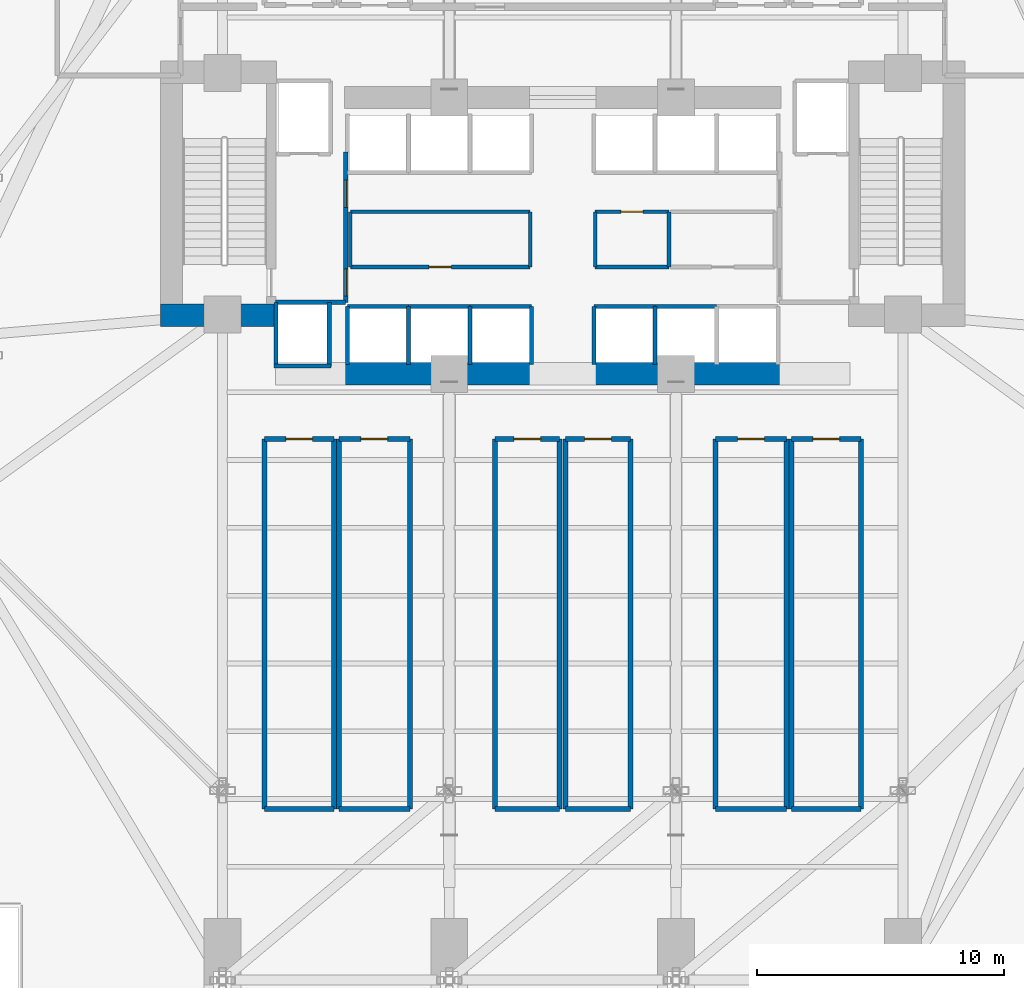
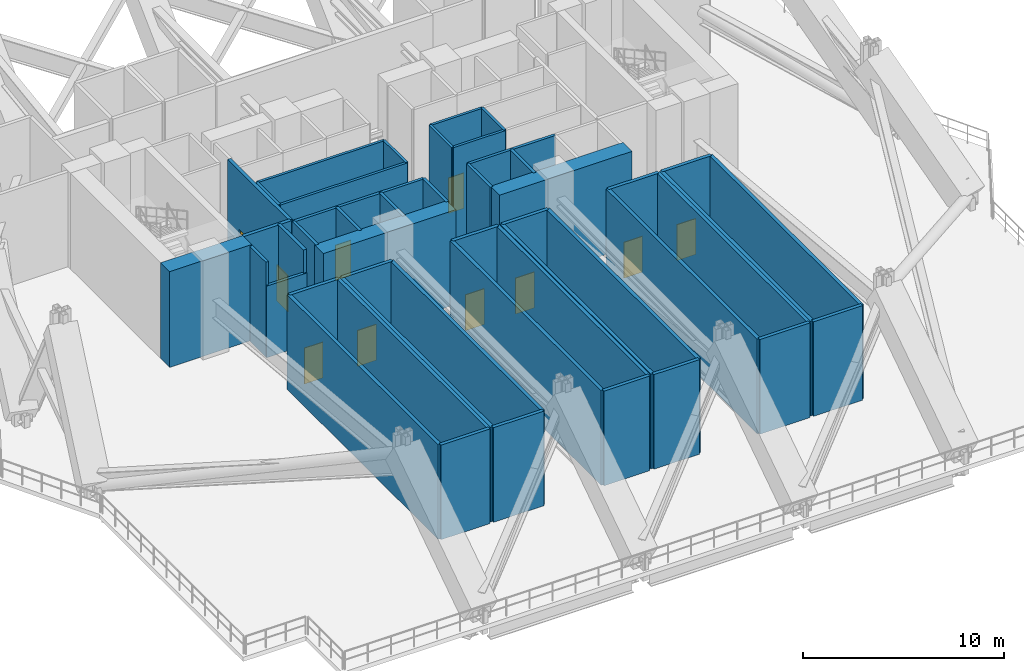
# One storey, part 13 of 21: 51 walls, 10 doors, 10 openings.
"""IFC4 building model written with IfcOpenShell, lengths in metres."""

from ifc_helpers import new_model, si_unit, direction, frame, frame_2d, origin, place, context, subcontext, project, spatial, rectangle, extrude, material, layer, layer_set, type_object, element, fill, save


model = new_model("IFC4")

# Units and contexts
model_context = context("Model", 3, precision=1e-05, world=origin(), true_north=direction((0.0, 1.0)))
body_context = subcontext(model_context, "Body", "Model", "MODEL_VIEW")
ifc_project = project(units=[si_unit("LENGTHUNIT", "METRE"), si_unit("AREAUNIT", "SQUARE_METRE"), si_unit("VOLUMEUNIT", "CUBIC_METRE"), si_unit("PLANEANGLEUNIT", "RADIAN"), si_unit("MASSUNIT", "GRAM", prefix="KILO")], contexts=[model_context])

# Site, building, storey
site_placement = place(None, origin())
site = spatial("IfcSite", under=ifc_project, at=site_placement, CompositionType="ELEMENT")
building_placement = place(site_placement, origin())
building = spatial("IfcBuilding", under=site, at=building_placement, Name="Zuhayl Quay Hotel", CompositionType="ELEMENT")
storey_placement = place(building_placement, frame((0.0, 0.0, 89.64990234375)))
storey = spatial("IfcBuildingStorey", under=building, at=storey_placement, Name="L22", CompositionType="ELEMENT", Elevation=89.64990234375)

# Walls
ifc_material_1 = material(Name="Concrete C70/85", Category="concrete")
ifc_layer_1 = layer(ifc_material_1, 0.89990234375, Name="Concrete C70/85", Category="concrete")
ifc_layer_set_1 = layer_set([ifc_layer_1], Name="Concrete C70/85")
wall_type_1 = type_object("IfcWallType", Name="WL_CORE_900", PredefinedType="SHEAR", material=ifc_layer_set_1)
wall_1_placement = place(storey_placement, frame((-16.31005859375, 4.52001953125, 0.0), z_axis=(0.0, 0.0, 1.0), x_axis=(1.0, 0.0, 0.0)))
element("IfcWall", 1, at=wall_1_placement, inside=storey, type_object=wall_type_1, Name="L22 Core Shear Wall CW_SW", PredefinedType="SHEAR", context=body_context, shape_type="SweptSolid", body=[
    extrude(rectangle(XDim=4.7099609375, YDim=0.89990234375, at=frame_2d((2.35498046875, 0.0))), origin(), (0.0, 0.0, 1.0), 5.81005859375),
])
for number, where, z_axis, x_axis, name in (
    (2, (-8.85009765625, 2.14990234375, 0.0), (0.0, 0.0, 1.0), (1.0, 0.0, 0.0), "L22 Core Shear Wall CW_SC_W"),
    (3, (1.25, 2.14990234375, 0.0), (0.0, 0.0, 1.0), (1.0, 0.0, 0.0), "L22 Core Shear Wall CW_SC_E"),
):
    element("IfcWall", number, at=place(storey_placement, frame(where, z_axis=z_axis, x_axis=x_axis)), inside=storey, type_object=wall_type_1, Name=name, PredefinedType="SHEAR", context=body_context, shape_type="SweptSolid", body=[
        extrude(rectangle(XDim=7.60009765625, YDim=0.89990234375, at=frame_2d((3.800048828125, 0.0))), origin(), (0.0, 0.0, 1.0), 5.739990234375),
    ])

# Wall, opening, door
ifc_material_2 = material(Name="Acoustic Gypsum Partition STC-58")
ifc_layer_2 = layer(ifc_material_2, 0.14990234375, Name="Acoustic Gypsum Partition STC-58")
ifc_layer_set_2 = layer_set([ifc_layer_2], Name="Acoustic Gypsum Partition STC-58")
wall_type_2 = type_object("IfcWallType", Name="WL_PART_150", PredefinedType="PARTITIONING", material=ifc_layer_set_2)
wall_2_placement = place(storey_placement, frame((-8.610107421875, 6.47998046875, 0.0), z_axis=(0.0, 0.0, 1.0), x_axis=(1.0, 0.0, 0.0)))
wall_2 = element("IfcWall", 4, at=wall_2_placement, inside=storey, type_object=wall_type_2, Name="L22 Partition IW_L22_CORE_EL_S", PredefinedType="PARTITIONING", context=body_context, shape_type="SweptSolid", body=[
    extrude(rectangle(XDim=7.2900390625, YDim=0.14990234375, at=frame_2d((3.64501953125, 0.0))), origin(), (0.0, 0.0, 1.0), 5.739990234375),
])
opening_1_placement = place(wall_2_placement, frame((3.195068359375, 0.0, 0.0)))
opening_1 = element("IfcOpeningElement", 5, at=opening_1_placement, cuts=wall_2, Name="Opening D06", PredefinedType="OPENING", context=body_context, shape_type="SweptSolid", body=[
    extrude(rectangle(XDim=0.89990234375, YDim=2.14990234375, at=frame_2d((0.449951171875, 1.074951171875))), frame((0.0, 0.0849609375, 0.0), z_axis=(0.0, -1.0, 0.0), x_axis=(1.0, 0.0, 0.0)), (0.0, 0.0, 1.0), 0.169921875),
])
ifc_material_3 = material(Name="Steel ASTM A992 Grade 50", Category="steel")
door_type_1 = type_object("IfcDoorType", Name="DR_INT_900", OperationType="NOTDEFINED", PredefinedType="DOOR", material=ifc_material_3)
door_1_placement = place(opening_1_placement, origin())
door_1 = element("IfcDoor", 6, at=door_1_placement, inside=storey, type_object=door_type_1, Name="L22 Floor Electrical Plant Room Door", OperationType="SINGLE_SWING_RIGHT", OverallHeight=2.14990234375, OverallWidth=0.89990234375, PredefinedType="DOOR", context=body_context, shape_type="SweptSolid", body=[
    extrude(rectangle(XDim=0.89990234375, YDim=2.14990234375, at=frame_2d((0.449951171875, 1.074951171875))), frame((0.0, 0.02490234375, 0.0), z_axis=(0.0, -1.0, 0.0), x_axis=(1.0, 0.0, 0.0)), (0.0, 0.0, 1.0), 0.050048828125),
])
fill(opening_1, door_1)

wall_3_placement = place(storey_placement, frame((1.320068359375, 8.719970703125, 0.0), z_axis=(0.0, 0.0, 1.0), x_axis=(1.0, 0.0, 0.0)))
wall_3 = element("IfcWall", 7, at=wall_3_placement, inside=storey, type_object=wall_type_2, Name="L22 Partition IW_L22_CORE_IT_N", PredefinedType="PARTITIONING", context=body_context, shape_type="SweptSolid", body=[
    extrude(rectangle(XDim=2.989990234375, YDim=0.14990234375, at=frame_2d((1.4951171875, 0.0))), origin(), (0.0, 0.0, 1.0), 5.739990234375),
])
opening_2_placement = place(wall_3_placement, frame((1.044921875, 0.0, 0.0)))
opening_2 = element("IfcOpeningElement", 8, at=opening_2_placement, cuts=wall_3, Name="Opening D06", PredefinedType="OPENING", context=body_context, shape_type="SweptSolid", body=[
    extrude(rectangle(XDim=0.89990234375, YDim=2.14990234375, at=frame_2d((0.449951171875, 1.074951171875))), frame((0.0, 0.0849609375, 0.0), z_axis=(0.0, -1.0, 0.0), x_axis=(1.0, 0.0, 0.0)), (0.0, 0.0, 1.0), 0.169921875),
])
door_2_placement = place(opening_2_placement, origin())
door_2 = element("IfcDoor", 9, at=door_2_placement, inside=storey, type_object=door_type_1, Name="L22 Telecom Closet Door", OperationType="SINGLE_SWING_LEFT", OverallHeight=2.14990234375, OverallWidth=0.89990234375, PredefinedType="DOOR", context=body_context, shape_type="SweptSolid", body=[
    extrude(rectangle(XDim=0.89990234375, YDim=2.14990234375, at=frame_2d((0.449951171875, 1.074951171875))), frame((0.0, 0.02490234375, 0.0), z_axis=(0.0, -1.0, 0.0), x_axis=(1.0, 0.0, 0.0)), (0.0, 0.0, 1.0), 0.050048828125),
])
fill(opening_2, door_2)

# Walls
wall_4_placement = place(storey_placement, frame((-8.610107421875, 8.719970703125, 0.0), z_axis=(0.0, 0.0, 1.0), x_axis=(1.0, 0.0, 0.0)))
element("IfcWall", 10, at=wall_4_placement, inside=storey, type_object=wall_type_2, Name="L22 Partition IW_L22_CORE_EL_N", PredefinedType="PARTITIONING", context=body_context, shape_type="SweptSolid", body=[
    extrude(rectangle(XDim=7.2900390625, YDim=0.14990234375, at=frame_2d((3.64501953125, 0.0))), origin(), (0.0, 0.0, 1.0), 5.739990234375),
])
for number, where, z_axis, x_axis, name in (
    (11, (-8.610107421875, 6.47998046875, 0.0), (0.0, 0.0, 1.0), (0.0, 1.0, 0.0), "L22 Partition IW_L22_CORE_EL_W"),
    (12, (-1.320068359375, 6.47998046875, 0.0), (0.0, 0.0, 1.0), (0.0, 1.0, 0.0), "L22 Partition IW_L22_CORE_EL_E"),
):
    element("IfcWall", number, at=place(storey_placement, frame(where, z_axis=z_axis, x_axis=x_axis)), inside=storey, type_object=wall_type_2, Name=name, PredefinedType="PARTITIONING", context=body_context, shape_type="SweptSolid", body=[
        extrude(rectangle(XDim=2.239990234375, YDim=0.14990234375, at=frame_2d((1.1201171875, 0.0))), origin(), (0.0, 0.0, 1.0), 5.739990234375),
    ])
wall_5_placement = place(storey_placement, frame((1.320068359375, 6.47998046875, 0.0), z_axis=(0.0, 0.0, 1.0), x_axis=(1.0, 0.0, 0.0)))
element("IfcWall", 13, at=wall_5_placement, inside=storey, type_object=wall_type_2, Name="L22 Partition IW_L22_CORE_IT_S", PredefinedType="PARTITIONING", context=body_context, shape_type="SweptSolid", body=[
    extrude(rectangle(XDim=2.989990234375, YDim=0.14990234375, at=frame_2d((1.4951171875, 0.0))), origin(), (0.0, 0.0, 1.0), 5.739990234375),
])
for number, where, z_axis, x_axis, name in (
    (14, (1.320068359375, 6.47998046875, 0.0), (0.0, 0.0, 1.0), (0.0, 1.0, 0.0), "L22 Partition IW_L22_CORE_IT_W"),
    (15, (4.31005859375, 6.47998046875, 0.0), (0.0, 0.0, 1.0), (0.0, 1.0, 0.0), "L22 Partition IW_L22_CORE_IT_E"),
):
    element("IfcWall", number, at=place(storey_placement, frame(where, z_axis=z_axis, x_axis=x_axis)), inside=storey, type_object=wall_type_2, Name=name, PredefinedType="PARTITIONING", context=body_context, shape_type="SweptSolid", body=[
        extrude(rectangle(XDim=2.239990234375, YDim=0.14990234375, at=frame_2d((1.1201171875, 0.0))), origin(), (0.0, 0.0, 1.0), 5.739990234375),
    ])
ifc_material_4 = material(Name="Gypsum Fireboard Assembly EI-90")
ifc_layer_3 = layer(ifc_material_4, 0.1650390625, Name="Gypsum Fireboard Assembly EI-90")
ifc_layer_set_3 = layer_set([ifc_layer_3], Name="Gypsum Fireboard Assembly EI-90")
wall_type_3 = type_object("IfcWallType", Name="WL_PART_SHAFT_160", PredefinedType="PARTITIONING", material=ifc_layer_set_3)
wall_6_placement = place(storey_placement, frame((-8.72998046875, 4.8798828125, 0.0), z_axis=(0.0, 0.0, 1.0), x_axis=(1.0, 0.0, 0.0)))
element("IfcWall", 16, at=wall_6_placement, inside=storey, type_object=wall_type_3, Name="L22 Partition IW_L22_SH_LP1_F", PredefinedType="PARTITIONING", context=body_context, shape_type="SweptSolid", body=[
    extrude(rectangle(XDim=2.47998046875, YDim=0.1650390625, at=frame_2d((1.239990234375, 0.0))), origin(), (0.0, 0.0, 1.0), 5.739990234375),
])
for number, where, z_axis, x_axis, name in (
    (17, (-8.72998046875, 2.52001953125, 0.0), (0.0, 0.0, 1.0), (0.0, 1.0, 0.0), "L22 Partition IW_L22_SH_LP1_W"),
    (18, (-6.25, 2.52001953125, 0.0), (0.0, 0.0, 1.0), (0.0, 1.0, 0.0), "L22 Partition IW_L22_SH_LP1_E"),
):
    element("IfcWall", number, at=place(storey_placement, frame(where, z_axis=z_axis, x_axis=x_axis)), inside=storey, type_object=wall_type_3, Name=name, PredefinedType="PARTITIONING", context=body_context, shape_type="SweptSolid", body=[
        extrude(rectangle(XDim=2.35986328125, YDim=0.1650390625, at=frame_2d((1.179931640625, 0.0))), origin(), (0.0, 0.0, 1.0), 5.739990234375),
    ])
wall_7_placement = place(storey_placement, frame((-6.25, 4.8798828125, 0.0), z_axis=(0.0, 0.0, 1.0), x_axis=(1.0, 0.0, 0.0)))
element("IfcWall", 19, at=wall_7_placement, inside=storey, type_object=wall_type_3, Name="L22 Partition IW_L22_SH_LP2_F", PredefinedType="PARTITIONING", context=body_context, shape_type="SweptSolid", body=[
    extrude(rectangle(XDim=2.5, YDim=0.1650390625, at=frame_2d((1.25, 0.0))), origin(), (0.0, 0.0, 1.0), 5.739990234375),
])
wall_8_placement = place(storey_placement, frame((-3.75, 2.52001953125, 0.0), z_axis=(0.0, 0.0, 1.0), x_axis=(0.0, 1.0, 0.0)))
element("IfcWall", 20, at=wall_8_placement, inside=storey, type_object=wall_type_3, Name="L22 Partition IW_L22_SH_LP2_E", PredefinedType="PARTITIONING", context=body_context, shape_type="SweptSolid", body=[
    extrude(rectangle(XDim=2.35986328125, YDim=0.1650390625, at=frame_2d((1.179931640625, 0.0))), origin(), (0.0, 0.0, 1.0), 5.739990234375),
])
wall_9_placement = place(storey_placement, frame((-3.75, 4.8798828125, 0.0), z_axis=(0.0, 0.0, 1.0), x_axis=(1.0, 0.0, 0.0)))
element("IfcWall", 21, at=wall_9_placement, inside=storey, type_object=wall_type_3, Name="L22 Partition IW_L22_SH_MP1_F", PredefinedType="PARTITIONING", context=body_context, shape_type="SweptSolid", body=[
    extrude(rectangle(XDim=2.47998046875, YDim=0.1650390625, at=frame_2d((1.239990234375, 0.0))), origin(), (0.0, 0.0, 1.0), 5.739990234375),
])
wall_10_placement = place(storey_placement, frame((-1.27001953125, 2.52001953125, 0.0), z_axis=(0.0, 0.0, 1.0), x_axis=(0.0, 1.0, 0.0)))
element("IfcWall", 22, at=wall_10_placement, inside=storey, type_object=wall_type_3, Name="L22 Partition IW_L22_SH_MP1_E", PredefinedType="PARTITIONING", context=body_context, shape_type="SweptSolid", body=[
    extrude(rectangle(XDim=2.35986328125, YDim=0.1650390625, at=frame_2d((1.179931640625, 0.0))), origin(), (0.0, 0.0, 1.0), 5.739990234375),
])
wall_11_placement = place(storey_placement, frame((1.27001953125, 4.8798828125, 0.0), z_axis=(0.0, 0.0, 1.0), x_axis=(1.0, 0.0, 0.0)))
element("IfcWall", 23, at=wall_11_placement, inside=storey, type_object=wall_type_3, Name="L22 Partition IW_L22_SH_MP2_F", PredefinedType="PARTITIONING", context=body_context, shape_type="SweptSolid", body=[
    extrude(rectangle(XDim=2.47998046875, YDim=0.1650390625, at=frame_2d((1.239990234375, 0.0))), origin(), (0.0, 0.0, 1.0), 5.739990234375),
])
for number, where, z_axis, x_axis, name in (
    (24, (1.27001953125, 2.52001953125, 0.0), (0.0, 0.0, 1.0), (0.0, 1.0, 0.0), "L22 Partition IW_L22_SH_MP2_W"),
    (25, (3.75, 2.52001953125, 0.0), (0.0, 0.0, 1.0), (0.0, 1.0, 0.0), "L22 Partition IW_L22_SH_MP2_E"),
):
    element("IfcWall", number, at=place(storey_placement, frame(where, z_axis=z_axis, x_axis=x_axis)), inside=storey, type_object=wall_type_3, Name=name, PredefinedType="PARTITIONING", context=body_context, shape_type="SweptSolid", body=[
        extrude(rectangle(XDim=2.35986328125, YDim=0.1650390625, at=frame_2d((1.179931640625, 0.0))), origin(), (0.0, 0.0, 1.0), 5.739990234375),
    ])
wall_12_placement = place(storey_placement, frame((3.75, 4.8798828125, 0.0), z_axis=(0.0, 0.0, 1.0), x_axis=(1.0, 0.0, 0.0)))
element("IfcWall", 26, at=wall_12_placement, inside=storey, type_object=wall_type_3, Name="L22 Partition IW_L22_SH_HP1_F", PredefinedType="PARTITIONING", context=body_context, shape_type="SweptSolid", body=[
    extrude(rectangle(XDim=2.5, YDim=0.1650390625, at=frame_2d((1.25, 0.0))), origin(), (0.0, 0.0, 1.0), 5.739990234375),
])
wall_13_placement = place(storey_placement, frame((-11.6298828125, 2.469970703125, 0.0), z_axis=(0.0, 0.0, 1.0), x_axis=(0.0, 1.0, 0.0)))
element("IfcWall", 27, at=wall_13_placement, inside=storey, type_object=wall_type_3, Name="L22 Partition IW_L22_RISER_W", PredefinedType="PARTITIONING", context=body_context, shape_type="SweptSolid", body=[
    extrude(rectangle(XDim=2.580078125, YDim=0.1650390625, at=frame_2d((1.2900390625, 0.0))), origin(), (0.0, 0.0, 1.0), 5.739990234375),
])
wall_14_placement = place(storey_placement, frame((-11.7099609375, 2.469970703125, 0.0), z_axis=(0.0, 0.0, 1.0), x_axis=(1.0, 0.0, 0.0)))
element("IfcWall", 28, at=wall_14_placement, inside=storey, type_object=wall_type_3, Name="L22 Partition IW_L22_RISER_S", PredefinedType="PARTITIONING", context=body_context, shape_type="SweptSolid", body=[
    extrude(rectangle(XDim=2.31005859375, YDim=0.1650390625, at=frame_2d((1.155029296875, 0.0))), origin(), (0.0, 0.0, 1.0), 4.340087890625),
])
ifc_layer_4 = layer(ifc_material_4, 0.179931640625, Name="Gypsum Fireboard Assembly EI-90")
ifc_layer_set_4 = layer_set([ifc_layer_4], Name="Gypsum Fireboard Assembly EI-90")
wall_type_4 = type_object("IfcWallType", Name="WL_PART_SHAFT_180", PredefinedType="PARTITIONING", material=ifc_layer_set_4)
wall_15_placement = place(storey_placement, frame((-9.469970703125, 2.449951171875, 0.0), z_axis=(0.0, 0.0, 1.0), x_axis=(0.0, 1.0, 0.0)))
element("IfcWall", 29, at=wall_15_placement, inside=storey, type_object=wall_type_4, Name="L22 Partition IW_L22_RISER_E", PredefinedType="PARTITIONING", context=body_context, shape_type="SweptSolid", body=[
    extrude(rectangle(XDim=2.60009765625, YDim=0.179931640625, at=frame_2d((1.300048828125, 0.0))), origin(), (0.0, 0.0, 1.0), 5.739990234375),
])

# Wall, openings, doors
ifc_material_5 = material(Name="Gypsum Fireboard Assembly EI-120")
ifc_layer_5 = layer(ifc_material_5, 0.199951171875, Name="Gypsum Fireboard Assembly EI-120")
ifc_layer_set_5 = layer_set([ifc_layer_5], Name="Gypsum Fireboard Assembly EI-120")
wall_type_5 = type_object("IfcWallType", Name="WL_PART_SHAFT_200", PredefinedType="PARTITIONING", material=ifc_layer_set_5)
wall_16_placement = place(storey_placement, frame((-8.800048828125, 5.050048828125, 0.0), z_axis=(0.0, 0.0, 1.0), x_axis=(0.0, 1.0, 0.0)))
wall_16 = element("IfcWall", 30, at=wall_16_placement, inside=storey, type_object=wall_type_5, Name="L22 Partition IW_L22_FSAE_W_E", PredefinedType="PARTITIONING", context=body_context, shape_type="SweptSolid", body=[
    extrude(rectangle(XDim=6.099853515625, YDim=0.199951171875, at=frame_2d((3.0498046875, 0.0))), origin(), (0.0, 0.0, 1.0), 5.739990234375),
])
opening_3_placement = place(wall_16_placement, frame((0.25, 0.0, 0.0)))
opening_3 = element("IfcOpeningElement", 31, at=opening_3_placement, cuts=wall_16, Name="Opening D02", PredefinedType="OPENING", context=body_context, shape_type="SweptSolid", body=[
    extrude(rectangle(XDim=1.10009765625, YDim=2.199951171875, at=frame_2d((0.550048828125, 1.10009765625))), frame((0.0, 0.10986328125, 0.0), z_axis=(0.0, -1.0, 0.0), x_axis=(1.0, 0.0, 0.0)), (0.0, 0.0, 1.0), 0.219970703125),
])
opening_4_placement = place(wall_16_placement, frame((3.85009765625, 0.0, 0.0)))
opening_4 = element("IfcOpeningElement", 32, at=opening_4_placement, cuts=wall_16, Name="Opening D02", PredefinedType="OPENING", context=body_context, shape_type="SweptSolid", body=[
    extrude(rectangle(XDim=1.10009765625, YDim=2.199951171875, at=frame_2d((0.550048828125, 1.10009765625))), frame((0.0, 0.10986328125, 0.0), z_axis=(0.0, -1.0, 0.0), x_axis=(1.0, 0.0, 0.0)), (0.0, 0.0, 1.0), 0.219970703125),
])
door_type_2 = type_object("IfcDoorType", Name="DR_FIRE_90_1100", OperationType="NOTDEFINED", PredefinedType="DOOR", material=ifc_material_3)
door_3_placement = place(opening_3_placement, origin())
door_3 = element("IfcDoor", 33, at=door_3_placement, inside=storey, type_object=door_type_2, Name="L22 FSAE Lobby West South Entry Door", OperationType="SINGLE_SWING_RIGHT", OverallHeight=2.199951171875, OverallWidth=1.10009765625, PredefinedType="DOOR", context=body_context, shape_type="SweptSolid", body=[
    extrude(rectangle(XDim=1.10009765625, YDim=2.199951171875, at=frame_2d((0.550048828125, 1.10009765625))), frame((0.0, 0.02490234375, 0.0), z_axis=(0.0, -1.0, 0.0), x_axis=(1.0, 0.0, 0.0)), (0.0, 0.0, 1.0), 0.050048828125),
])
fill(opening_3, door_3)
door_4_placement = place(opening_4_placement, origin())
door_4 = element("IfcDoor", 34, at=door_4_placement, inside=storey, type_object=door_type_2, Name="L22 FSAE Lobby West North Entry Door", OperationType="SINGLE_SWING_LEFT", OverallHeight=2.199951171875, OverallWidth=1.10009765625, PredefinedType="DOOR", context=body_context, shape_type="SweptSolid", body=[
    extrude(rectangle(XDim=1.10009765625, YDim=2.199951171875, at=frame_2d((0.550048828125, 1.10009765625))), frame((0.0, 0.02490234375, 0.0), z_axis=(0.0, -1.0, 0.0), x_axis=(1.0, 0.0, 0.0)), (0.0, 0.0, 1.0), 0.050048828125),
])
fill(opening_4, door_4)

# Wall, opening, door
wall_17_placement = place(storey_placement, frame((-12.10009765625, -0.5, 0.0), z_axis=(0.0, 0.0, 1.0), x_axis=(1.0, 0.0, 0.0)))
wall_17 = element("IfcWall", 35, at=wall_17_placement, inside=storey, type_object=wall_type_5, Name="L22 Partition IW_L22_MEP_ELEC_N", PredefinedType="PARTITIONING", context=body_context, shape_type="SweptSolid", body=[
    extrude(rectangle(XDim=2.820068359375, YDim=0.199951171875, at=frame_2d((1.41015625, 0.0))), origin(), (0.0, 0.0, 1.0), 5.739990234375),
])
opening_5_placement = place(wall_17_placement, frame((0.8701171875, 0.0, 0.0)))
opening_5 = element("IfcOpeningElement", 36, at=opening_5_placement, cuts=wall_17, Name="Opening D05A", PredefinedType="OPENING", context=body_context, shape_type="SweptSolid", body=[
    extrude(rectangle(XDim=1.080078125, YDim=2.179931640625, at=frame_2d((0.5400390625, 1.08984375))), frame((0.0, 0.10986328125, 0.0), z_axis=(0.0, -1.0, 0.0), x_axis=(1.0, 0.0, 0.0)), (0.0, 0.0, 1.0), 0.219970703125),
])
ifc_material_6 = material(Name="Solid Walnut Acoustic Fire Door")
door_type_3 = type_object("IfcDoorType", Name="DR_INT_1100", OperationType="NOTDEFINED", PredefinedType="DOOR", material=ifc_material_6)
door_5_placement = place(opening_5_placement, origin())
door_5 = element("IfcDoor", 37, at=door_5_placement, inside=storey, type_object=door_type_3, Name="L22 Switchgear Plant Room Door", OperationType="SINGLE_SWING_LEFT", OverallHeight=2.179931640625, OverallWidth=1.080078125, PredefinedType="DOOR", context=body_context, shape_type="SweptSolid", body=[
    extrude(rectangle(XDim=1.080078125, YDim=2.179931640625, at=frame_2d((0.5400390625, 1.08984375))), frame((0.0, 0.02490234375, 0.0), z_axis=(0.0, -1.0, 0.0), x_axis=(1.0, 0.0, 0.0)), (0.0, 0.0, 1.0), 0.050048828125),
])
fill(opening_5, door_5)

wall_18_placement = place(storey_placement, frame((-9.080078125, -0.5, 0.0), z_axis=(0.0, 0.0, 1.0), x_axis=(1.0, 0.0, 0.0)))
wall_18 = element("IfcWall", 38, at=wall_18_placement, inside=storey, type_object=wall_type_5, Name="L22 Partition IW_L22_MEP_SMK_N", PredefinedType="PARTITIONING", context=body_context, shape_type="SweptSolid", body=[
    extrude(rectangle(XDim=2.880126953125, YDim=0.199951171875, at=frame_2d((1.43994140625, 0.0))), origin(), (0.0, 0.0, 1.0), 5.739990234375),
])
opening_6_placement = place(wall_18_placement, frame((0.89990234375, 0.0, 0.0)))
opening_6 = element("IfcOpeningElement", 39, at=opening_6_placement, cuts=wall_18, Name="Opening D05A", PredefinedType="OPENING", context=body_context, shape_type="SweptSolid", body=[
    extrude(rectangle(XDim=1.080078125, YDim=2.179931640625, at=frame_2d((0.5400390625, 1.08984375))), frame((0.0, 0.10986328125, 0.0), z_axis=(0.0, -1.0, 0.0), x_axis=(1.0, 0.0, 0.0)), (0.0, 0.0, 1.0), 0.219970703125),
])
door_6_placement = place(opening_6_placement, origin())
door_6 = element("IfcDoor", 40, at=door_6_placement, inside=storey, type_object=door_type_3, Name="L22 Smoke-Extract Fan Plant Room Door", OperationType="SINGLE_SWING_RIGHT", OverallHeight=2.179931640625, OverallWidth=1.080078125, PredefinedType="DOOR", context=body_context, shape_type="SweptSolid", body=[
    extrude(rectangle(XDim=1.080078125, YDim=2.179931640625, at=frame_2d((0.5400390625, 1.08984375))), frame((0.0, 0.02490234375, 0.0), z_axis=(0.0, -1.0, 0.0), x_axis=(1.0, 0.0, 0.0)), (0.0, 0.0, 1.0), 0.050048828125),
])
fill(opening_6, door_6)

wall_19_placement = place(storey_placement, frame((-2.75, -0.5, 0.0), z_axis=(0.0, 0.0, 1.0), x_axis=(1.0, 0.0, 0.0)))
wall_19 = element("IfcWall", 41, at=wall_19_placement, inside=storey, type_object=wall_type_5, Name="L22 Partition IW_L22_MEP_HRC_N", PredefinedType="PARTITIONING", context=body_context, shape_type="SweptSolid", body=[
    extrude(rectangle(XDim=2.6298828125, YDim=0.199951171875, at=frame_2d((1.31494140625, 0.0))), origin(), (0.0, 0.0, 1.0), 5.739990234375),
])
opening_7_placement = place(wall_19_placement, frame((0.77490234375, 0.0, 0.0)))
opening_7 = element("IfcOpeningElement", 42, at=opening_7_placement, cuts=wall_19, Name="Opening D05A", PredefinedType="OPENING", context=body_context, shape_type="SweptSolid", body=[
    extrude(rectangle(XDim=1.080078125, YDim=2.179931640625, at=frame_2d((0.5400390625, 1.08984375))), frame((0.0, 0.10986328125, 0.0), z_axis=(0.0, -1.0, 0.0), x_axis=(1.0, 0.0, 0.0)), (0.0, 0.0, 1.0), 0.219970703125),
])
door_7_placement = place(opening_7_placement, origin())
door_7 = element("IfcDoor", 43, at=door_7_placement, inside=storey, type_object=door_type_3, Name="L22 Heat-Recovery Plant Room Door", OperationType="SINGLE_SWING_LEFT", OverallHeight=2.179931640625, OverallWidth=1.080078125, PredefinedType="DOOR", context=body_context, shape_type="SweptSolid", body=[
    extrude(rectangle(XDim=1.080078125, YDim=2.179931640625, at=frame_2d((0.5400390625, 1.08984375))), frame((0.0, 0.02490234375, 0.0), z_axis=(0.0, -1.0, 0.0), x_axis=(1.0, 0.0, 0.0)), (0.0, 0.0, 1.0), 0.050048828125),
])
fill(opening_7, door_7)

wall_20_placement = place(storey_placement, frame((0.1201171875, -0.5, 0.0), z_axis=(0.0, 0.0, 1.0), x_axis=(1.0, 0.0, 0.0)))
wall_20 = element("IfcWall", 44, at=wall_20_placement, inside=storey, type_object=wall_type_5, Name="L22 Partition IW_L22_MEP_BMS_N", PredefinedType="PARTITIONING", context=body_context, shape_type="SweptSolid", body=[
    extrude(rectangle(XDim=2.6298828125, YDim=0.199951171875, at=frame_2d((1.31494140625, 0.0))), origin(), (0.0, 0.0, 1.0), 5.739990234375),
])
opening_8_placement = place(wall_20_placement, frame((0.77490234375, 0.0, 0.0)))
opening_8 = element("IfcOpeningElement", 45, at=opening_8_placement, cuts=wall_20, Name="Opening D05A", PredefinedType="OPENING", context=body_context, shape_type="SweptSolid", body=[
    extrude(rectangle(XDim=1.080078125, YDim=2.179931640625, at=frame_2d((0.5400390625, 1.08984375))), frame((0.0, 0.10986328125, 0.0), z_axis=(0.0, -1.0, 0.0), x_axis=(1.0, 0.0, 0.0)), (0.0, 0.0, 1.0), 0.219970703125),
])
door_8_placement = place(opening_8_placement, origin())
door_8 = element("IfcDoor", 46, at=door_8_placement, inside=storey, type_object=door_type_3, Name="L22 BMS Plant Room Door", OperationType="SINGLE_SWING_RIGHT", OverallHeight=2.179931640625, OverallWidth=1.080078125, PredefinedType="DOOR", context=body_context, shape_type="SweptSolid", body=[
    extrude(rectangle(XDim=1.080078125, YDim=2.179931640625, at=frame_2d((0.5400390625, 1.08984375))), frame((0.0, 0.02490234375, 0.0), z_axis=(0.0, -1.0, 0.0), x_axis=(1.0, 0.0, 0.0)), (0.0, 0.0, 1.0), 0.050048828125),
])
fill(opening_8, door_8)

wall_21_placement = place(storey_placement, frame((6.199951171875, -0.5, 0.0), z_axis=(0.0, 0.0, 1.0), x_axis=(1.0, 0.0, 0.0)))
wall_21 = element("IfcWall", 47, at=wall_21_placement, inside=storey, type_object=wall_type_5, Name="L22 Partition IW_L22_MEP_PUMP_N", PredefinedType="PARTITIONING", context=body_context, shape_type="SweptSolid", body=[
    extrude(rectangle(XDim=2.880126953125, YDim=0.199951171875, at=frame_2d((1.43994140625, 0.0))), origin(), (0.0, 0.0, 1.0), 5.739990234375),
])
opening_9_placement = place(wall_21_placement, frame((0.89990234375, 0.0, 0.0)))
opening_9 = element("IfcOpeningElement", 48, at=opening_9_placement, cuts=wall_21, Name="Opening D05A", PredefinedType="OPENING", context=body_context, shape_type="SweptSolid", body=[
    extrude(rectangle(XDim=1.080078125, YDim=2.179931640625, at=frame_2d((0.5400390625, 1.08984375))), frame((0.0, 0.10986328125, 0.0), z_axis=(0.0, -1.0, 0.0), x_axis=(1.0, 0.0, 0.0)), (0.0, 0.0, 1.0), 0.219970703125),
])
door_9_placement = place(opening_9_placement, origin())
door_9 = element("IfcDoor", 49, at=door_9_placement, inside=storey, type_object=door_type_3, Name="L22 Booster Pump Plant Room Door", OperationType="SINGLE_SWING_LEFT", OverallHeight=2.179931640625, OverallWidth=1.080078125, PredefinedType="DOOR", context=body_context, shape_type="SweptSolid", body=[
    extrude(rectangle(XDim=1.080078125, YDim=2.179931640625, at=frame_2d((0.5400390625, 1.08984375))), frame((0.0, 0.02490234375, 0.0), z_axis=(0.0, -1.0, 0.0), x_axis=(1.0, 0.0, 0.0)), (0.0, 0.0, 1.0), 0.050048828125),
])
fill(opening_9, door_9)

wall_22_placement = place(storey_placement, frame((9.280029296875, -0.5, 0.0), z_axis=(0.0, 0.0, 1.0), x_axis=(1.0, 0.0, 0.0)))
wall_22 = element("IfcWall", 50, at=wall_22_placement, inside=storey, type_object=wall_type_5, Name="L22 Partition IW_L22_MEP_FIRE_N", PredefinedType="PARTITIONING", context=body_context, shape_type="SweptSolid", body=[
    extrude(rectangle(XDim=2.820068359375, YDim=0.199951171875, at=frame_2d((1.41015625, 0.0))), origin(), (0.0, 0.0, 1.0), 5.739990234375),
])
opening_10_placement = place(wall_22_placement, frame((0.8701171875, 0.0, 0.0)))
opening_10 = element("IfcOpeningElement", 51, at=opening_10_placement, cuts=wall_22, Name="Opening D05A", PredefinedType="OPENING", context=body_context, shape_type="SweptSolid", body=[
    extrude(rectangle(XDim=1.080078125, YDim=2.179931640625, at=frame_2d((0.5400390625, 1.08984375))), frame((0.0, 0.10986328125, 0.0), z_axis=(0.0, -1.0, 0.0), x_axis=(1.0, 0.0, 0.0)), (0.0, 0.0, 1.0), 0.219970703125),
])
door_10_placement = place(opening_10_placement, origin())
door_10 = element("IfcDoor", 52, at=door_10_placement, inside=storey, type_object=door_type_3, Name="L22 Fire Pump Plant Room Door", OperationType="SINGLE_SWING_RIGHT", OverallHeight=2.179931640625, OverallWidth=1.080078125, PredefinedType="DOOR", context=body_context, shape_type="SweptSolid", body=[
    extrude(rectangle(XDim=1.080078125, YDim=2.179931640625, at=frame_2d((0.5400390625, 1.08984375))), frame((0.0, 0.02490234375, 0.0), z_axis=(0.0, -1.0, 0.0), x_axis=(1.0, 0.0, 0.0)), (0.0, 0.0, 1.0), 0.050048828125),
])
fill(opening_10, door_10)

# Walls
wall_23_placement = place(storey_placement, frame((-11.64990234375, 5.050048828125, 0.0), z_axis=(0.0, 0.0, 1.0), x_axis=(1.0, 0.0, 0.0)))
element("IfcWall", 53, at=wall_23_placement, inside=storey, type_object=wall_type_5, Name="L22 Partition IW_L22_FSAE_W_S", PredefinedType="PARTITIONING", context=body_context, shape_type="SweptSolid", body=[
    extrude(rectangle(XDim=2.849853515625, YDim=0.199951171875, at=frame_2d((1.4248046875, 0.0))), origin(), (0.0, 0.0, 1.0), 5.739990234375),
])
wall_24_placement = place(storey_placement, frame((-12.10009765625, -15.5, 0.0), z_axis=(0.0, 0.0, 1.0), x_axis=(1.0, 0.0, 0.0)))
element("IfcWall", 54, at=wall_24_placement, inside=storey, type_object=wall_type_5, Name="L22 Partition IW_L22_MEP_ELEC_S", PredefinedType="PARTITIONING", context=body_context, shape_type="SweptSolid", body=[
    extrude(rectangle(XDim=2.820068359375, YDim=0.199951171875, at=frame_2d((1.41015625, 0.0))), origin(), (0.0, 0.0, 1.0), 5.739990234375),
])
for number, where, z_axis, x_axis, name in (
    (55, (-12.10009765625, -15.5, 0.0), (0.0, 0.0, 1.0), (0.0, 1.0, 0.0), "L22 Partition IW_L22_MEP_ELEC_W"),
    (56, (-9.280029296875, -15.5, 0.0), (0.0, 0.0, 1.0), (0.0, 1.0, 0.0), "L22 Partition IW_L22_MEP_ELEC_E"),
):
    element("IfcWall", number, at=place(storey_placement, frame(where, z_axis=z_axis, x_axis=x_axis)), inside=storey, type_object=wall_type_5, Name=name, PredefinedType="PARTITIONING", context=body_context, shape_type="SweptSolid", body=[
        extrude(rectangle(XDim=15.0, YDim=0.199951171875, at=frame_2d((7.5, 0.0))), origin(), (0.0, 0.0, 1.0), 5.739990234375),
    ])
wall_25_placement = place(storey_placement, frame((-9.080078125, -15.5, 0.0), z_axis=(0.0, 0.0, 1.0), x_axis=(1.0, 0.0, 0.0)))
element("IfcWall", 57, at=wall_25_placement, inside=storey, type_object=wall_type_5, Name="L22 Partition IW_L22_MEP_SMK_S", PredefinedType="PARTITIONING", context=body_context, shape_type="SweptSolid", body=[
    extrude(rectangle(XDim=2.880126953125, YDim=0.199951171875, at=frame_2d((1.43994140625, 0.0))), origin(), (0.0, 0.0, 1.0), 5.739990234375),
])
for number, where, z_axis, x_axis, name in (
    (58, (-9.080078125, -15.5, 0.0), (0.0, 0.0, 1.0), (0.0, 1.0, 0.0), "L22 Partition IW_L22_MEP_SMK_W"),
    (59, (-6.199951171875, -15.5, 0.0), (0.0, 0.0, 1.0), (0.0, 1.0, 0.0), "L22 Partition IW_L22_MEP_SMK_E"),
):
    element("IfcWall", number, at=place(storey_placement, frame(where, z_axis=z_axis, x_axis=x_axis)), inside=storey, type_object=wall_type_5, Name=name, PredefinedType="PARTITIONING", context=body_context, shape_type="SweptSolid", body=[
        extrude(rectangle(XDim=15.0, YDim=0.199951171875, at=frame_2d((7.5, 0.0))), origin(), (0.0, 0.0, 1.0), 5.739990234375),
    ])
wall_26_placement = place(storey_placement, frame((-2.75, -15.5, 0.0), z_axis=(0.0, 0.0, 1.0), x_axis=(1.0, 0.0, 0.0)))
element("IfcWall", 60, at=wall_26_placement, inside=storey, type_object=wall_type_5, Name="L22 Partition IW_L22_MEP_HRC_S", PredefinedType="PARTITIONING", context=body_context, shape_type="SweptSolid", body=[
    extrude(rectangle(XDim=2.6298828125, YDim=0.199951171875, at=frame_2d((1.31494140625, 0.0))), origin(), (0.0, 0.0, 1.0), 5.739990234375),
])
for number, where, z_axis, x_axis, name in (
    (61, (-2.75, -15.5, 0.0), (0.0, 0.0, 1.0), (0.0, 1.0, 0.0), "L22 Partition IW_L22_MEP_HRC_W"),
    (62, (-0.1201171875, -15.5, 0.0), (0.0, 0.0, 1.0), (0.0, 1.0, 0.0), "L22 Partition IW_L22_MEP_HRC_E"),
):
    element("IfcWall", number, at=place(storey_placement, frame(where, z_axis=z_axis, x_axis=x_axis)), inside=storey, type_object=wall_type_5, Name=name, PredefinedType="PARTITIONING", context=body_context, shape_type="SweptSolid", body=[
        extrude(rectangle(XDim=15.0, YDim=0.199951171875, at=frame_2d((7.5, 0.0))), origin(), (0.0, 0.0, 1.0), 5.739990234375),
    ])
wall_27_placement = place(storey_placement, frame((0.1201171875, -15.5, 0.0), z_axis=(0.0, 0.0, 1.0), x_axis=(1.0, 0.0, 0.0)))
element("IfcWall", 63, at=wall_27_placement, inside=storey, type_object=wall_type_5, Name="L22 Partition IW_L22_MEP_BMS_S", PredefinedType="PARTITIONING", context=body_context, shape_type="SweptSolid", body=[
    extrude(rectangle(XDim=2.6298828125, YDim=0.199951171875, at=frame_2d((1.31494140625, 0.0))), origin(), (0.0, 0.0, 1.0), 5.739990234375),
])
for number, where, z_axis, x_axis, name in (
    (64, (0.1201171875, -15.5, 0.0), (0.0, 0.0, 1.0), (0.0, 1.0, 0.0), "L22 Partition IW_L22_MEP_BMS_W"),
    (65, (2.75, -15.5, 0.0), (0.0, 0.0, 1.0), (0.0, 1.0, 0.0), "L22 Partition IW_L22_MEP_BMS_E"),
):
    element("IfcWall", number, at=place(storey_placement, frame(where, z_axis=z_axis, x_axis=x_axis)), inside=storey, type_object=wall_type_5, Name=name, PredefinedType="PARTITIONING", context=body_context, shape_type="SweptSolid", body=[
        extrude(rectangle(XDim=15.0, YDim=0.199951171875, at=frame_2d((7.5, 0.0))), origin(), (0.0, 0.0, 1.0), 5.739990234375),
    ])
wall_28_placement = place(storey_placement, frame((6.199951171875, -15.5, 0.0), z_axis=(0.0, 0.0, 1.0), x_axis=(1.0, 0.0, 0.0)))
element("IfcWall", 66, at=wall_28_placement, inside=storey, type_object=wall_type_5, Name="L22 Partition IW_L22_MEP_PUMP_S", PredefinedType="PARTITIONING", context=body_context, shape_type="SweptSolid", body=[
    extrude(rectangle(XDim=2.880126953125, YDim=0.199951171875, at=frame_2d((1.43994140625, 0.0))), origin(), (0.0, 0.0, 1.0), 5.739990234375),
])
for number, where, z_axis, x_axis, name in (
    (67, (6.199951171875, -15.5, 0.0), (0.0, 0.0, 1.0), (0.0, 1.0, 0.0), "L22 Partition IW_L22_MEP_PUMP_W"),
    (68, (9.080078125, -15.5, 0.0), (0.0, 0.0, 1.0), (0.0, 1.0, 0.0), "L22 Partition IW_L22_MEP_PUMP_E"),
):
    element("IfcWall", number, at=place(storey_placement, frame(where, z_axis=z_axis, x_axis=x_axis)), inside=storey, type_object=wall_type_5, Name=name, PredefinedType="PARTITIONING", context=body_context, shape_type="SweptSolid", body=[
        extrude(rectangle(XDim=15.0, YDim=0.199951171875, at=frame_2d((7.5, 0.0))), origin(), (0.0, 0.0, 1.0), 5.739990234375),
    ])
wall_29_placement = place(storey_placement, frame((9.280029296875, -15.5, 0.0), z_axis=(0.0, 0.0, 1.0), x_axis=(1.0, 0.0, 0.0)))
element("IfcWall", 69, at=wall_29_placement, inside=storey, type_object=wall_type_5, Name="L22 Partition IW_L22_MEP_FIRE_S", PredefinedType="PARTITIONING", context=body_context, shape_type="SweptSolid", body=[
    extrude(rectangle(XDim=2.820068359375, YDim=0.199951171875, at=frame_2d((1.41015625, 0.0))), origin(), (0.0, 0.0, 1.0), 5.739990234375),
])
for number, where, z_axis, x_axis, name in (
    (70, (9.280029296875, -15.5, 0.0), (0.0, 0.0, 1.0), (0.0, 1.0, 0.0), "L22 Partition IW_L22_MEP_FIRE_W"),
    (71, (12.10009765625, -15.5, 0.0), (0.0, 0.0, 1.0), (0.0, 1.0, 0.0), "L22 Partition IW_L22_MEP_FIRE_E"),
):
    element("IfcWall", number, at=place(storey_placement, frame(where, z_axis=z_axis, x_axis=x_axis)), inside=storey, type_object=wall_type_5, Name=name, PredefinedType="PARTITIONING", context=body_context, shape_type="SweptSolid", body=[
        extrude(rectangle(XDim=15.0, YDim=0.199951171875, at=frame_2d((7.5, 0.0))), origin(), (0.0, 0.0, 1.0), 5.739990234375),
    ])

save(model, "model.ifc")
